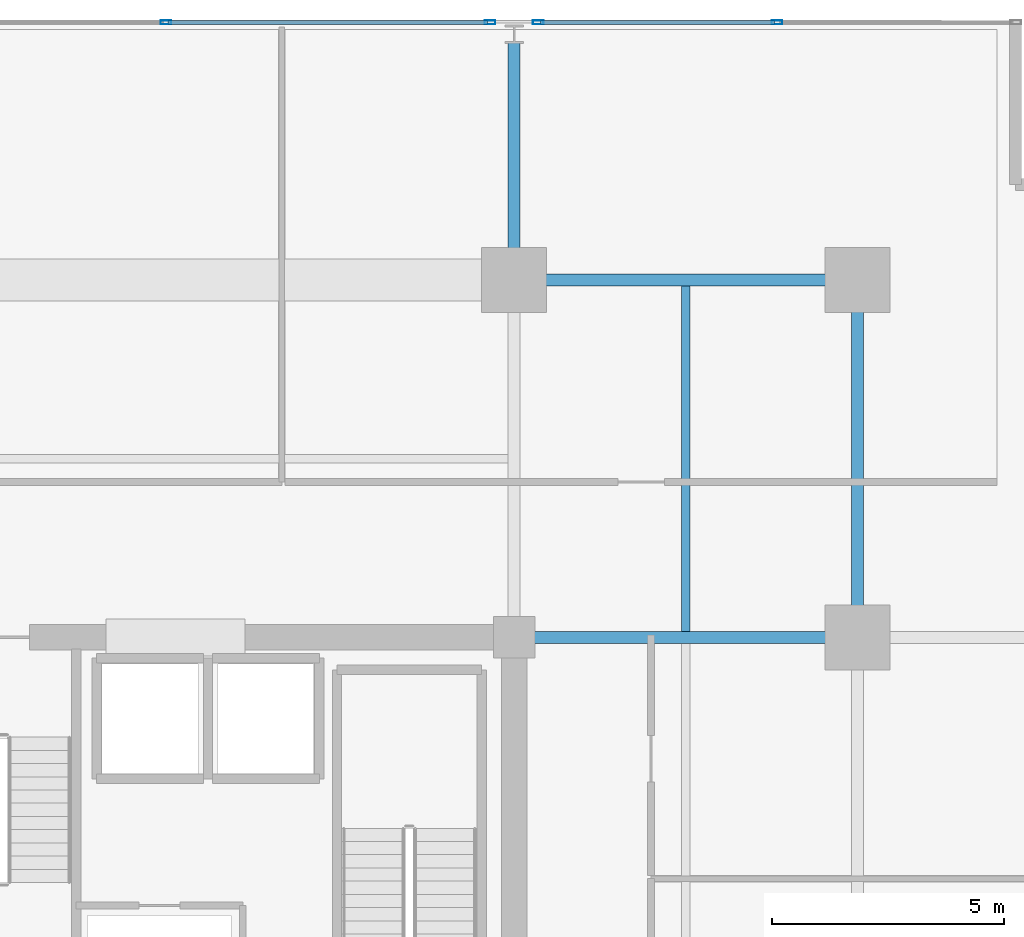
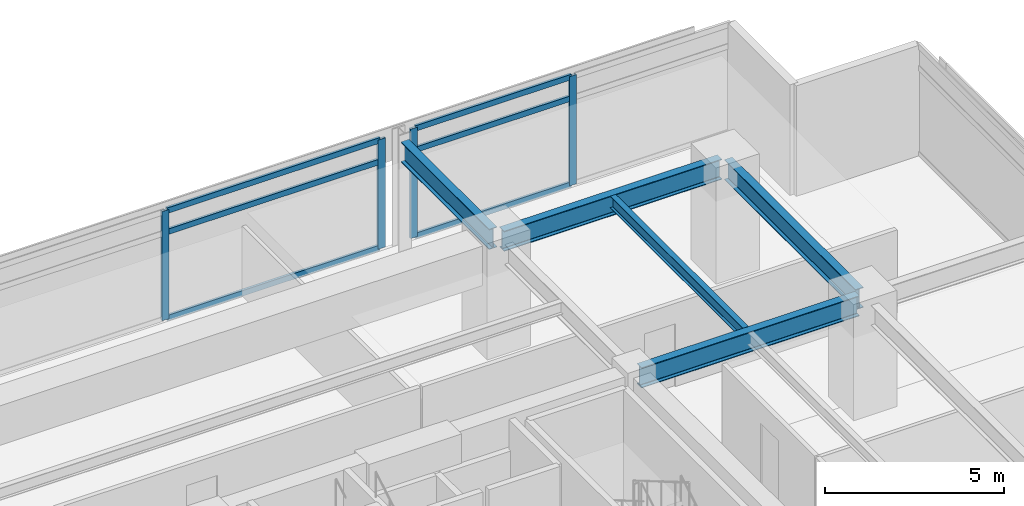
# One storey, part 11 of 22: 10 members, 5 beams, 2 elements without a shape of their own.
"""IFC4 building model written with IfcOpenShell, lengths in metres."""

from ifc_helpers import new_model, si_unit, direction, frame, origin, origin_2d, place, context, subcontext, project, spatial, hollow_rectangle, i_section, extrude, material, material_profile, profile_set, type_object, element, aggregate, save


model = new_model("IFC4")

# Units and contexts
model_context = context("Model", 3, precision=1e-05, world=origin(), true_north=direction((0.0, 1.0)))
body_context = subcontext(model_context, "Body", "Model", "MODEL_VIEW")
ifc_project = project(units=[si_unit("LENGTHUNIT", "METRE"), si_unit("AREAUNIT", "SQUARE_METRE"), si_unit("VOLUMEUNIT", "CUBIC_METRE"), si_unit("PLANEANGLEUNIT", "RADIAN"), si_unit("MASSUNIT", "GRAM", prefix="KILO")], contexts=[model_context])

# Site, building, storey
site_placement = place(None, origin())
site = spatial("IfcSite", under=ifc_project, at=site_placement, CompositionType="ELEMENT")
building_placement = place(site_placement, origin())
building = spatial("IfcBuilding", under=site, at=building_placement, Name="Kovane Verandah Tower", CompositionType="ELEMENT")
storey_placement = place(building_placement, frame((0.0, 0.0, 225.199951171875)))
storey = spatial("IfcBuildingStorey", under=building, at=storey_placement, Name="L52", CompositionType="ELEMENT", Elevation=225.199951171875)

# Beams
ifc_material_1 = material(Name="Steel S355", Category="steel")
ifc_material_profile_1 = material_profile(ifc_material_1, i_section(OverallWidth=0.255859375, OverallDepth=0.69287109375, WebThickness=0.014404296875, FlangeThickness=0.023681640625, FilletRadius=0.01513671875, at=origin_2d()), Name="UB686x254x170")
ifc_profile_set_1 = profile_set([ifc_material_profile_1], Name="Steel S355")
beam_type_1 = type_object("IfcBeamType", Name="BM-UB686x170", PredefinedType="BEAM", material=ifc_profile_set_1)
beam_1_placement = place(storey_placement, frame((51.179931640625, 44.199951171875, 3.428466796875), z_axis=(1.0, 0.0, 0.0), x_axis=(0.0, 1.0, 0.0)))
element("IfcBeam", 1, at=beam_1_placement, inside=storey, type_object=beam_type_1, Name="L52 Primary Tower Girder G-RN3", PredefinedType="BEAM", context=body_context, shape_type="SweptSolid", body=[
    extrude(i_section(OverallWidth=0.255859375, OverallDepth=0.69287109375, WebThickness=0.014404296875, FlangeThickness=0.023681640625, FilletRadius=0.01513671875, at=origin_2d()), origin(), (0.0, 0.0, 1.0), 7.0400390625),
])
beam_2_placement = place(storey_placement, frame((58.39990234375, 36.679931640625, 3.428466796875), z_axis=(0.0, 1.0, 0.0), x_axis=(-1.0, 0.0, 0.0)))
element("IfcBeam", 2, at=beam_2_placement, inside=storey, type_object=beam_type_1, Name="L52 Primary Tower Girder G-RE3", PredefinedType="BEAM", context=body_context, shape_type="SweptSolid", body=[
    extrude(i_section(OverallWidth=0.255859375, OverallDepth=0.69287109375, WebThickness=0.014404296875, FlangeThickness=0.023681640625, FilletRadius=0.01513671875, at=origin_2d()), origin(), (0.0, 0.0, 1.0), 7.340087890625),
])
beam_3_placement = place(storey_placement, frame((51.179931640625, 36.5, 3.428466796875), z_axis=(1.0, 0.0, 0.0), x_axis=(0.0, 1.0, 0.0)))
element("IfcBeam", 3, at=beam_3_placement, inside=storey, type_object=beam_type_1, Name="L52 Primary Tower Girder G-E2", PredefinedType="BEAM", context=body_context, shape_type="SweptSolid", body=[
    extrude(i_section(OverallWidth=0.255859375, OverallDepth=0.69287109375, WebThickness=0.014404296875, FlangeThickness=0.023681640625, FilletRadius=0.01513671875, at=origin_2d()), origin(), (0.0, 0.0, 1.0), 7.0400390625),
])
beam_4_placement = place(storey_placement, frame((51.0, 44.3798828125, 3.41357421875), z_axis=(0.0, 1.0, 0.0), x_axis=(-1.0, 0.0, 0.0)))
element("IfcBeam", 4, at=beam_4_placement, inside=storey, type_object=beam_type_1, Name="L52 Primary Tower Girder G-VN2", PredefinedType="BEAM", context=body_context, shape_type="SweptSolid", body=[
    extrude(i_section(OverallWidth=0.255859375, OverallDepth=0.69287109375, WebThickness=0.014404296875, FlangeThickness=0.023681640625, FilletRadius=0.01513671875, at=origin_2d()), origin(), (0.0, 0.0, 1.0), 4.940185546875),
])

# Curtain wall, members
ifc_material_2 = material(Name="Champagne Anodised Aluminium Frame with Low-E Clear Laminated Glass", Category="aluminium")
curtain_wall_type = type_object("IfcCurtainWallType", Name="CW-SYS-03-MID", PredefinedType="NOTDEFINED", material=ifc_material_2)
curtain_wall_1_placement = place(storey_placement, origin())
curtain_wall_1 = element("IfcCurtainWall", 5, at=curtain_wall_1_placement, inside=storey, type_object=curtain_wall_type, Name="L52 N Unitised Curtain Wall-1", PredefinedType="NOTDEFINED")
ifc_material_3 = material(Name="Champagne Anodised Aluminium 6063-T6", Category="aluminium")
ifc_material_profile_2 = material_profile(ifc_material_3, hollow_rectangle(XDim=0.0849609375, YDim=0.22998046875, WallThickness=0.00390625, at=origin_2d()), Name="AL85x230x4")
ifc_profile_set_2 = profile_set([ifc_material_profile_2], Name="Champagne Anodised Aluminium 6063-T6")
member_type_1 = type_object("IfcMemberType", Name="CW-MUL-85x230", PredefinedType="MULLION", material=ifc_profile_set_2)
member_1_placement = place(storey_placement, frame((56.664794921875, 49.75634765625, 0.02001953125), z_axis=(0.0, 0.0, 1.0), x_axis=(0.0, 1.0, 0.0)))
member_1 = element("IfcMember", 6, at=member_1_placement, type_object=member_type_1, Name="L52 N Unitised Curtain Wall-1 Mullion 2", PredefinedType="MULLION", context=body_context, shape_type="SweptSolid", body=[
    extrude(hollow_rectangle(XDim=0.0849609375, YDim=0.22998046875, WallThickness=0.00390625, at=origin_2d()), origin(), (0.0, 0.0, 1.0), 3.735107421875),
])
member_2_placement = place(storey_placement, frame((51.52001953125, 49.75634765625, 0.02001953125), z_axis=(0.0, 0.0, 1.0), x_axis=(0.0, 1.0, 0.0)))
member_2 = element("IfcMember", 7, at=member_2_placement, type_object=member_type_1, Name="L52 N Unitised Curtain Wall-1 Mullion 3", PredefinedType="MULLION", context=body_context, shape_type="SweptSolid", body=[
    extrude(hollow_rectangle(XDim=0.0849609375, YDim=0.22998046875, WallThickness=0.00390625, at=origin_2d()), origin(), (0.0, 0.0, 1.0), 3.735107421875),
])

curtain_wall_2_placement = place(storey_placement, origin())
curtain_wall_2 = element("IfcCurtainWall", 8, at=curtain_wall_2_placement, inside=storey, type_object=curtain_wall_type, Name="L52 N Unitised Curtain Wall-2", PredefinedType="NOTDEFINED")
member_3_placement = place(storey_placement, frame((50.47998046875, 49.75634765625, 0.02001953125), z_axis=(0.0, 0.0, 1.0), x_axis=(0.0, 1.0, 0.0)))
member_3 = element("IfcMember", 9, at=member_3_placement, type_object=member_type_1, Name="L52 N Unitised Curtain Wall-2 Mullion 1", PredefinedType="MULLION", context=body_context, shape_type="SweptSolid", body=[
    extrude(hollow_rectangle(XDim=0.0849609375, YDim=0.22998046875, WallThickness=0.00390625, at=origin_2d()), origin(), (0.0, 0.0, 1.0), 3.735107421875),
])
member_4_placement = place(storey_placement, frame((43.493408203125, 49.75634765625, 0.02001953125), z_axis=(0.0, 0.0, 1.0), x_axis=(0.0, 1.0, 0.0)))
member_4 = element("IfcMember", 10, at=member_4_placement, type_object=member_type_1, Name="L52 N Unitised Curtain Wall-2 Mullion 2", PredefinedType="MULLION", context=body_context, shape_type="SweptSolid", body=[
    extrude(hollow_rectangle(XDim=0.0849609375, YDim=0.22998046875, WallThickness=0.00390625, at=origin_2d()), origin(), (0.0, 0.0, 1.0), 3.735107421875),
])

# Member
ifc_material_profile_3 = material_profile(ifc_material_3, hollow_rectangle(XDim=0.0849609375, YDim=0.18994140625, WallThickness=0.00390625, at=origin_2d()), Name="AL85x190x4")
ifc_profile_set_3 = profile_set([ifc_material_profile_3], Name="Champagne Anodised Aluminium 6063-T6")
member_type_2 = type_object("IfcMemberType", Name="CW-TRN-85x190", PredefinedType="USERDEFINED", material=ifc_profile_set_3)
member_5_placement = place(storey_placement, frame((56.614990234375, 49.75634765625, 0.050048828125), z_axis=(-1.0, 0.0, 0.0), x_axis=(0.0, -1.0, 0.0)))
member_5 = element("IfcMember", 11, at=member_5_placement, type_object=member_type_2, Name="L52 N Unitised Curtain Wall-1 Transom TB Bay 2", ObjectType="TRANSOM", PredefinedType="USERDEFINED", context=body_context, shape_type="SweptSolid", body=[
    extrude(hollow_rectangle(XDim=0.0849609375, YDim=0.18994140625, WallThickness=0.00390625, at=origin_2d()), origin(), (0.0, 0.0, 1.0), 5.044921875),
])

member_6_placement = place(storey_placement, frame((56.614990234375, 49.75634765625, 2.9951171875), z_axis=(-1.0, 0.0, 0.0), x_axis=(0.0, -1.0, 0.0)))
member_6 = element("IfcMember", 12, at=member_6_placement, type_object=member_type_2, Name="L52 N Unitised Curtain Wall-1 Transom TM Bay 2", ObjectType="TRANSOM", PredefinedType="USERDEFINED", context=body_context, shape_type="SweptSolid", body=[
    extrude(hollow_rectangle(XDim=0.0849609375, YDim=0.18994140625, WallThickness=0.00390625, at=origin_2d()), origin(), (0.0, 0.0, 1.0), 5.044921875),
])

member_7_placement = place(storey_placement, frame((56.614990234375, 49.75634765625, 3.72509765625), z_axis=(-1.0, 0.0, 0.0), x_axis=(0.0, -1.0, 0.0)))
member_7 = element("IfcMember", 13, at=member_7_placement, type_object=member_type_2, Name="L52 N Unitised Curtain Wall-1 Transom TT Bay 2", ObjectType="TRANSOM", PredefinedType="USERDEFINED", context=body_context, shape_type="SweptSolid", body=[
    extrude(hollow_rectangle(XDim=0.0849609375, YDim=0.18994140625, WallThickness=0.00390625, at=origin_2d()), origin(), (0.0, 0.0, 1.0), 5.044921875),
])

aggregate(curtain_wall_1, [member_1, member_2, member_5, member_6, member_7])

member_8_placement = place(storey_placement, frame((50.429931640625, 49.75634765625, 0.050048828125), z_axis=(-1.0, 0.0, 0.0), x_axis=(0.0, -1.0, 0.0)))
member_8 = element("IfcMember", 14, at=member_8_placement, type_object=member_type_2, Name="L52 N Unitised Curtain Wall-2 Transom TB Bay 1", ObjectType="TRANSOM", PredefinedType="USERDEFINED", context=body_context, shape_type="SweptSolid", body=[
    extrude(hollow_rectangle(XDim=0.0849609375, YDim=0.18994140625, WallThickness=0.00390625, at=origin_2d()), origin(), (0.0, 0.0, 1.0), 6.88671875),
])

member_9_placement = place(storey_placement, frame((50.429931640625, 49.75634765625, 2.9951171875), z_axis=(-1.0, 0.0, 0.0), x_axis=(0.0, -1.0, 0.0)))
member_9 = element("IfcMember", 15, at=member_9_placement, type_object=member_type_2, Name="L52 N Unitised Curtain Wall-2 Transom TM Bay 1", ObjectType="TRANSOM", PredefinedType="USERDEFINED", context=body_context, shape_type="SweptSolid", body=[
    extrude(hollow_rectangle(XDim=0.0849609375, YDim=0.18994140625, WallThickness=0.00390625, at=origin_2d()), origin(), (0.0, 0.0, 1.0), 6.88671875),
])

member_10_placement = place(storey_placement, frame((50.429931640625, 49.75634765625, 3.72509765625), z_axis=(-1.0, 0.0, 0.0), x_axis=(0.0, -1.0, 0.0)))
member_10 = element("IfcMember", 16, at=member_10_placement, type_object=member_type_2, Name="L52 N Unitised Curtain Wall-2 Transom TT Bay 1", ObjectType="TRANSOM", PredefinedType="USERDEFINED", context=body_context, shape_type="SweptSolid", body=[
    extrude(hollow_rectangle(XDim=0.0849609375, YDim=0.18994140625, WallThickness=0.00390625, at=origin_2d()), origin(), (0.0, 0.0, 1.0), 6.88671875),
])

aggregate(curtain_wall_2, [member_3, member_4, member_8, member_9, member_10])

# Beam
ifc_material_profile_4 = material_profile(ifc_material_1, i_section(OverallWidth=0.179443359375, OverallDepth=0.412841796875, WebThickness=0.009521484375, FlangeThickness=0.01611328125, FilletRadius=0.01025390625, at=origin_2d()), Name="UB406x178x74")
ifc_profile_set_4 = profile_set([ifc_material_profile_4], Name="Steel S355")
beam_type_2 = type_object("IfcBeamType", Name="JST-UB406x74", PredefinedType="JOIST", material=ifc_profile_set_4)
beam_5_placement = place(storey_placement, frame((54.699951171875, 36.6259765625, 3.568603515625), z_axis=(0.0, 1.0, 0.0), x_axis=(-1.0, 0.0, 0.0)))
element("IfcBeam", 17, at=beam_5_placement, inside=storey, type_object=beam_type_2, Name="L52 Secondary Composite Joist J-NE1", PredefinedType="JOIST", context=body_context, shape_type="SweptSolid", body=[
    extrude(i_section(OverallWidth=0.179443359375, OverallDepth=0.412841796875, WebThickness=0.009521484375, FlangeThickness=0.01611328125, FilletRadius=0.01025390625, at=origin_2d()), origin(), (0.0, 0.0, 1.0), 7.4482421875),
])

save(model, "model.ifc")
